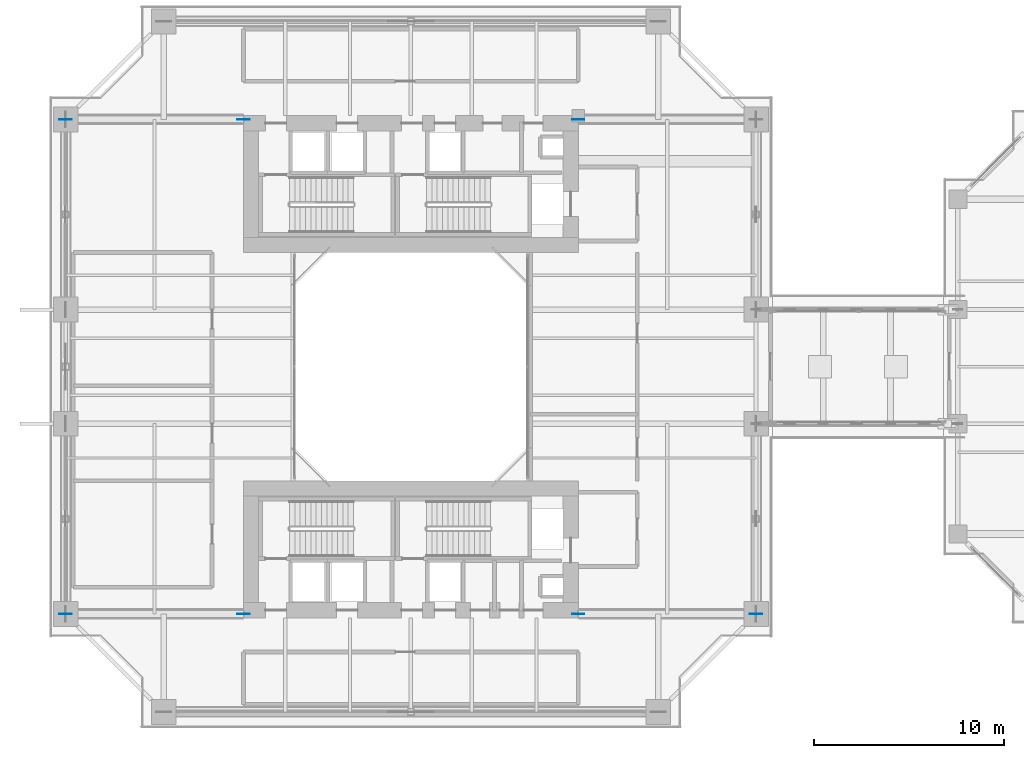
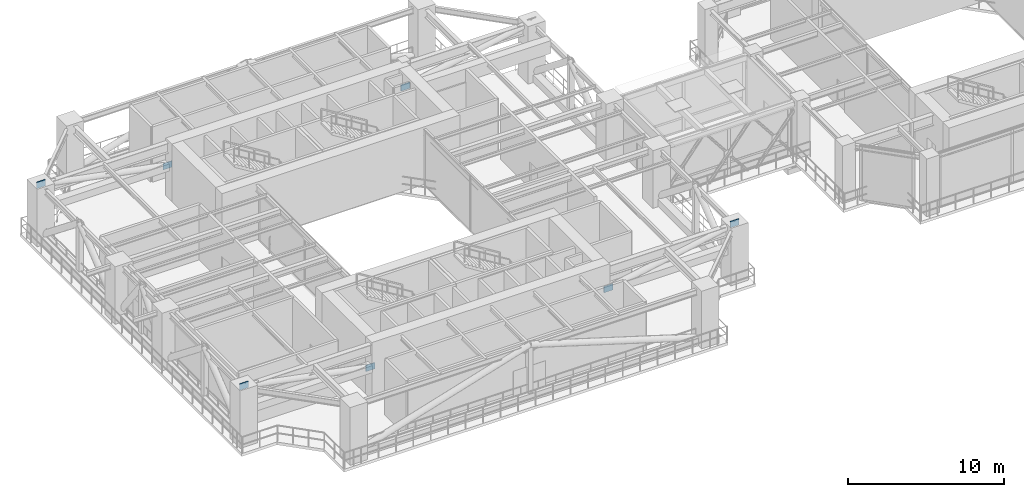
# One storey, part 15 of 26: 7 plates.
"""IFC4 building model written with IfcOpenShell, lengths in metres."""

from ifc_helpers import new_model, si_unit, direction, frame, origin, origin_2d, place, context, subcontext, project, spatial, rectangle, extrude, source, transform, mapped, material, layer, layer_set, type_object, element, save


model = new_model("IFC4")

# Units and contexts
model_context = context("Model", 3, precision=1e-05, world=origin(), true_north=direction((0.0, 1.0)))
body_context = subcontext(model_context, "Body", "Model", "MODEL_VIEW")
ifc_project = project(units=[si_unit("LENGTHUNIT", "METRE"), si_unit("AREAUNIT", "SQUARE_METRE"), si_unit("VOLUMEUNIT", "CUBIC_METRE"), si_unit("PLANEANGLEUNIT", "RADIAN"), si_unit("MASSUNIT", "GRAM", prefix="KILO"), si_unit("THERMODYNAMICTEMPERATUREUNIT", "KELVIN"), si_unit("POWERUNIT", "WATT")], contexts=[model_context])

# Site, building, storey
site_placement = place(None, origin())
site = spatial("IfcSite", under=ifc_project, at=site_placement, CompositionType="ELEMENT")
building_placement = place(site_placement, origin())
building = spatial("IfcBuilding", under=site, at=building_placement, Name="Qiaomeng Ring Towers", CompositionType="ELEMENT")
storey_placement = place(building_placement, frame((0.0, 0.0, 45.75)))
storey = spatial("IfcBuildingStorey", under=building, at=storey_placement, Name="L12", CompositionType="ELEMENT", Elevation=45.75)

# Plates
ifc_material = material(Name="Steel Q390GJC", Category="steel")
ifc_layer = layer(ifc_material, 0.031982421875, Name="Steel Q390GJC")
ifc_layer_set = layer_set([ifc_layer], Name="Steel Q390GJC")
plate_type = type_object("IfcPlateType", Name="STR-PL-GUSSET", PredefinedType="USERDEFINED", material=ifc_layer_set)
shared_shape = source(origin(), body_context, "Body", "SweptSolid", [
    extrude(rectangle(XDim=0.64990234375, YDim=0.035888671875, at=origin_2d()), origin(), (0.0, 0.0, 1.0), 0.5),
])
for number, where, z_axis, x_axis, name in (
    (1, (10.199951171875, 36.0, 2.22998046875), (0.0, 0.0, 1.0), (1.0, 0.0, 0.0), "L12 Outrigger Core Anchorage Gusset Plate W4"),
    (2, (0.85009765625, 36.0, 4.050048828125), (0.0, 0.0, 1.0), (1.0, 0.0, 0.0), "L12 Outrigger Column Node Gusset Plate W4"),
    (3, (10.199951171875, 10.0, 2.22998046875), (0.0, 0.0, 1.0), (1.0, 0.0, 0.0), "L12 Outrigger Core Anchorage Gusset Plate W1"),
    (4, (0.85009765625, 10.0, 4.050048828125), (0.0, 0.0, 1.0), (1.0, 0.0, 0.0), "L12 Outrigger Column Node Gusset Plate W1"),
    (5, (27.800048828125, 36.0, 2.22998046875), (0.0, 0.0, 1.0), (1.0, 0.0, 0.0), "L12 Outrigger Core Anchorage Gusset Plate E4"),
    (6, (27.800048828125, 10.0, 2.22998046875), (0.0, 0.0, 1.0), (1.0, 0.0, 0.0), "L12 Outrigger Core Anchorage Gusset Plate E1"),
    (7, (37.14990234375, 10.0, 4.050048828125), (0.0, 0.0, 1.0), (1.0, 0.0, 0.0), "L12 Outrigger Column Node Gusset Plate E1"),
):
    element("IfcPlate", number, at=place(storey_placement, frame(where, z_axis=z_axis, x_axis=x_axis)), inside=storey, type_object=plate_type, Name=name, ObjectType="GUSSET PLATE", PredefinedType="USERDEFINED", context=body_context, shape_type="MappedRepresentation", body=[
        mapped(shared_shape, transform((0.0, 0.0, 0.0), x_axis=(1.0, 0.0, 0.0), y_axis=(0.0, 1.0, 0.0), z_axis=(0.0, 0.0, 1.0), scale=1.0)),
    ])

save(model, "model.ifc")
